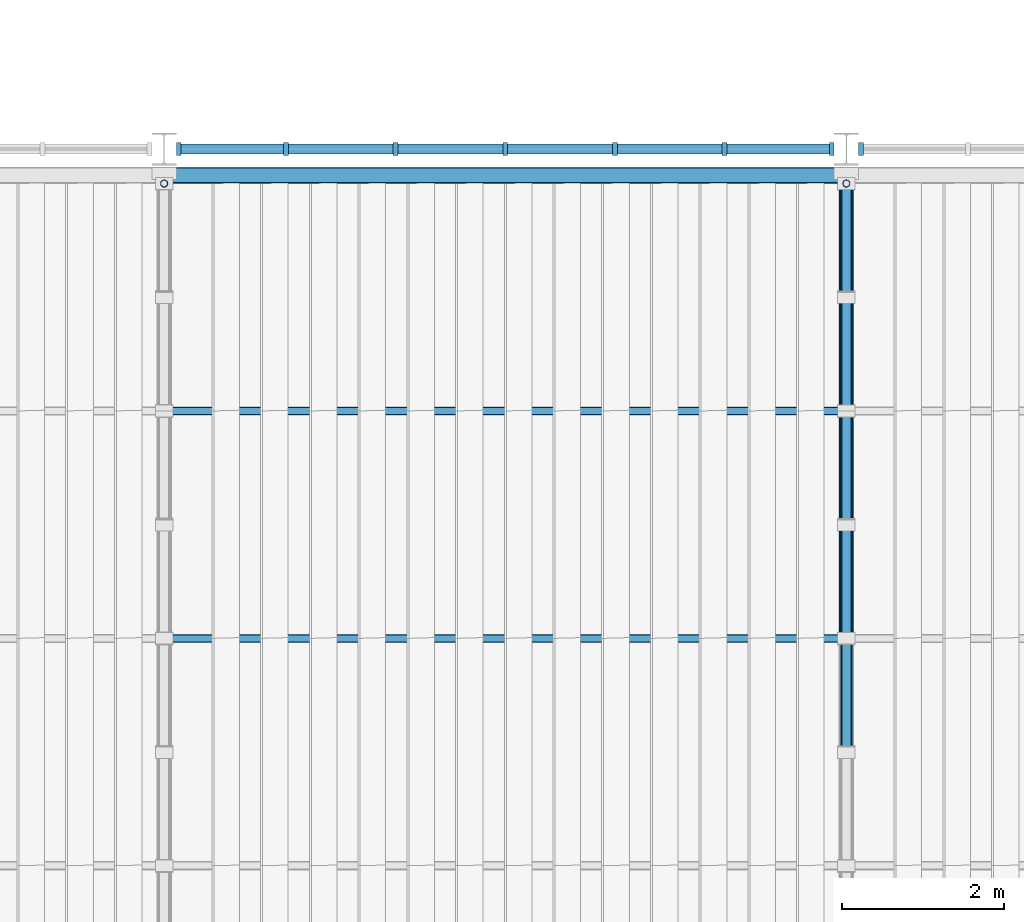
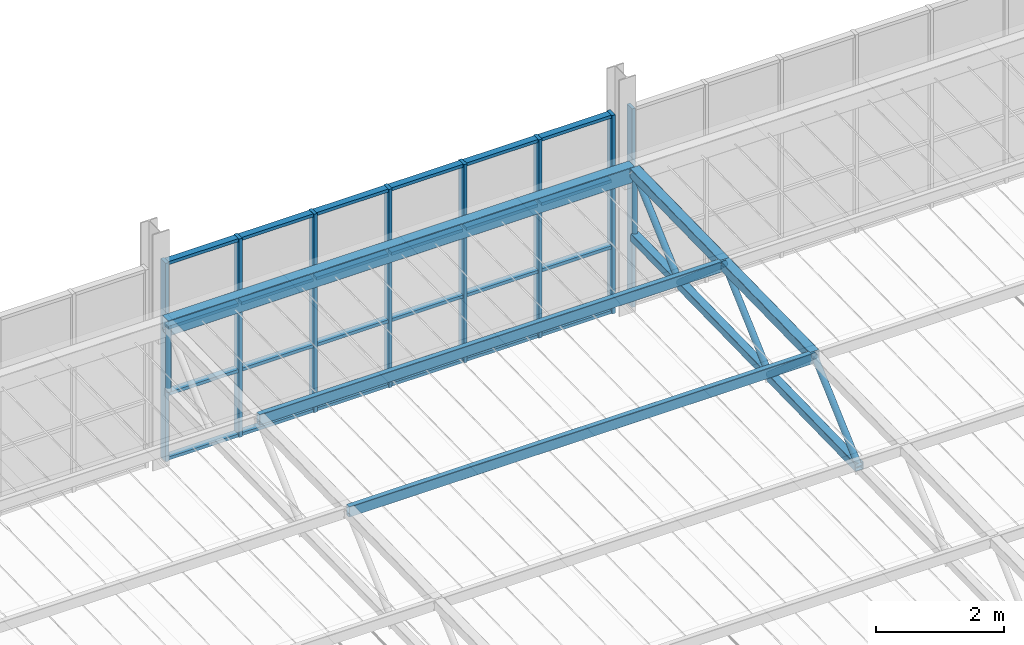
# One storey, part 31 of 129: 46 members, 1 beam, 2 elements without a shape of their own.
"""IFC4 building model written with IfcOpenShell, lengths in metres."""

import ifcopenshell
import ifcopenshell.guid

model = None  # the IFC model being written
_history = None  # IfcOwnerHistory: only IFC2X3 demands one
_inside = {}  # id of a spatial element -> (the spatial element, [elements in it])
_under = {}  # id of a project, library or spatial element -> (it, [spatial elements below it])
_declared = {}  # id of a project -> (the project, [libraries it declares])
_typed = {}  # id of a type object -> (the type object, [elements of that type])
_made_of = {}  # id of a material, layer set ... -> (it, [elements and type objects made of it])


def new_model(schema):
    """Start an empty IFC model of exactly this schema.

    Asked for "IFC4X3", IfcOpenShell would pick the latest addendum, in which some entities
    have other attributes; the version numbers below select the first issue.
    IFC2X3 requires an IfcOwnerHistory on every rooted entity: one is made here for all.
    """
    global model, _history
    if schema == "IFC4X3":
        model = ifcopenshell.file(schema_version=(4, 3, 0, 0))
    else:
        model = ifcopenshell.file(schema=schema)
    _inside.clear()
    _under.clear()
    _declared.clear()
    _typed.clear()
    _made_of.clear()
    _history = None
    if model.schema == "IFC2X3":
        org = make("IfcOrganization", Name="unknown")
        user = make(
            "IfcPersonAndOrganization",
            ThePerson=make("IfcPerson", FamilyName="unknown"),
            TheOrganization=org,
        )
        app = make(
            "IfcApplication",
            ApplicationDeveloper=org,
            Version="unknown",
            ApplicationFullName="unknown",
            ApplicationIdentifier="unknown",
        )
        _history = make(
            "IfcOwnerHistory",
            OwningUser=user,
            OwningApplication=app,
            ChangeAction="ADDED",
            CreationDate=0,
        )
    return model


def make(cls, **values):
    """One entity of the class cls with the attributes given. An attribute that is None is left unset."""
    return model.create_entity(
        cls, **{name: value for name, value in values.items() if value is not None}
    )


def rooted(cls, **values):
    """An entity with a GlobalId (a new one), such as an element, a storey or a relation."""
    return make(cls, GlobalId=ifcopenshell.guid.new(), OwnerHistory=_history, **values)


def si_unit(unit_type, name, prefix=None):
    """IfcSIUnit, for example si_unit("LENGTHUNIT", "METRE", prefix="MILLI")."""
    return make("IfcSIUnit", UnitType=unit_type, Prefix=prefix, Name=name)


def assignment(units):
    """IfcUnitAssignment: the units of a project."""
    return None if units is None else make("IfcUnitAssignment", Units=units)


def point(xyz):
    """IfcCartesianPoint."""
    return None if xyz is None else make("IfcCartesianPoint", Coordinates=xyz)


def direction(xyz):
    """IfcDirection."""
    return None if xyz is None else make("IfcDirection", DirectionRatios=xyz)


def frame(location, z_axis=None, x_axis=None):
    """IfcAxis2Placement3D, a coordinate frame: its origin and axes. An axis left out is left unset."""
    return make(
        "IfcAxis2Placement3D",
        Location=point(location),
        Axis=direction(z_axis),
        RefDirection=direction(x_axis),
    )


def frame_2d(location, x_axis=None):
    """IfcAxis2Placement2D, a coordinate frame in the plane: its origin and x axis."""
    return make(
        "IfcAxis2Placement2D", Location=point(location), RefDirection=direction(x_axis)
    )


def origin():
    """The frame at (0, 0, 0) with its axes left unset."""
    return frame((0.0, 0.0, 0.0))


def origin_2d():
    """The frame at (0, 0) in the plane with its x axis left unset."""
    return frame_2d((0.0, 0.0))


def place(relative_to, where):
    """IfcLocalPlacement: puts the frame where relative to a parent placement (None: the world)."""
    return make(
        "IfcLocalPlacement", PlacementRelTo=relative_to, RelativePlacement=where
    )


def context(
    kind, dimensions, precision=None, world=None, true_north=None, identifier=None
):
    """IfcGeometricRepresentationContext, for example the 3D "Model" context."""
    return make(
        "IfcGeometricRepresentationContext",
        ContextIdentifier=identifier,
        ContextType=kind,
        CoordinateSpaceDimension=dimensions,
        Precision=precision,
        WorldCoordinateSystem=world,
        TrueNorth=true_north,
    )


def subcontext(parent, identifier, kind, view, scale=None):
    """IfcGeometricRepresentationSubContext, for example "Body" below "Model"."""
    return make(
        "IfcGeometricRepresentationSubContext",
        ContextIdentifier=identifier,
        ContextType=kind,
        ParentContext=parent,
        TargetScale=scale,
        TargetView=view,
    )


def project(units=None, contexts=None):
    """IfcProject with its units and contexts."""
    return rooted(
        "IfcProject",
        Name="project",
        RepresentationContexts=contexts,
        UnitsInContext=assignment(units),
    )


def spatial(cls, under=None, at=None, **own):
    """A site, building, storey or space (cls), placed at a placement, below another one or the project."""
    s = rooted(cls, ObjectPlacement=at, **own)
    if under is not None:
        _under.setdefault(under.id(), (under, []))[1].append(s)
    return s


def profile(cls, at=None, kind="AREA", **sizes):
    """A parametric profile (cls). Its sizes go by their IFC names, for example OverallWidth=200.0."""
    return make(cls, ProfileType=kind, Position=at, **sizes)


def rectangle(**sizes):
    """IfcRectangleProfileDef."""
    return profile("IfcRectangleProfileDef", **sizes)


def hollow_rectangle(**sizes):
    """IfcRectangleHollowProfileDef."""
    return profile("IfcRectangleHollowProfileDef", **sizes)


def hollow_circle(**sizes):
    """IfcCircleHollowProfileDef."""
    return profile("IfcCircleHollowProfileDef", **sizes)


def extrude(swept, where, along, depth):
    """IfcExtrudedAreaSolid: the profile swept, set in the frame where, extruded along a direction by depth."""
    return make(
        "IfcExtrudedAreaSolid",
        SweptArea=swept,
        Position=where,
        ExtrudedDirection=direction(along),
        Depth=depth,
    )


def shape(context_of_items, identifier, shape_type, items):
    """IfcShapeRepresentation: the items that make up one representation, for example the "Body"."""
    return make(
        "IfcShapeRepresentation",
        ContextOfItems=context_of_items,
        RepresentationIdentifier=identifier,
        RepresentationType=shape_type,
        Items=items,
    )


def material(Name=None, Category=None):
    """IfcMaterial."""
    return make("IfcMaterial", Name=Name, Category=Category)


def layer(
    of_material, thickness, ventilated=None, Name=None, Category=None, Priority=None
):
    """IfcMaterialLayer: one layer of a wall or slab, of a material (None: an air gap)."""
    return make(
        "IfcMaterialLayer",
        Material=of_material,
        LayerThickness=thickness,
        IsVentilated=ventilated,
        Name=Name,
        Category=Category,
        Priority=Priority,
    )


def layer_set(layers, Name=None):
    """IfcMaterialLayerSet."""
    return make("IfcMaterialLayerSet", MaterialLayers=layers, LayerSetName=Name)


def material_profile(
    of_material, cross_section, Name=None, Category=None, Priority=None
):
    """IfcMaterialProfile: a cross section and its material."""
    return make(
        "IfcMaterialProfile",
        Name=Name,
        Material=of_material,
        Profile=cross_section,
        Priority=Priority,
        Category=Category,
    )


def profile_set(profiles, Name=None, composite=None):
    """IfcMaterialProfileSet."""
    return make(
        "IfcMaterialProfileSet",
        Name=Name,
        MaterialProfiles=profiles,
        CompositeProfile=composite,
    )


def made_of(thing, what):
    """Note that an element or type object is made of a material, layer set ...; save() writes the relation."""
    if what is not None:
        _made_of.setdefault(what.id(), (what, []))[1].append(thing)
    return thing


def type_object(cls, material=None, **own):
    """A type object (cls), such as IfcWallType, which elements share."""
    return made_of(rooted(cls, **own), material)


def element(
    cls,
    number,
    at=None,
    inside=None,
    cuts=None,
    type_object=None,
    material=None,
    context=None,
    identifier="Body",
    shape_type=None,
    held_by="IfcProductDefinitionShape",
    body=None,
    shapes=None,
    **own,
):
    """One element of the class cls, such as IfcWall. Its Tag is "e" and its number.

    at: its placement. inside: the storey or other place that contains it. cuts: it is an
    opening in that element (IfcRelVoidsElement). A single representation is given by context,
    identifier, shape_type and body (its items); several are given by shapes. held_by: the class
    of the entity that holds the representations. save() writes the other relations.
    """
    e = rooted(cls, Tag="e%d" % number, ObjectPlacement=at, **own)
    if body is not None:
        shapes = [shape(context, identifier, shape_type, body)]
    if shapes is not None:
        e.Representation = make(held_by, Representations=shapes)
    if inside is not None:
        _inside.setdefault(inside.id(), (inside, []))[1].append(e)
    if cuts is not None:
        rooted(
            "IfcRelVoidsElement", RelatingBuildingElement=cuts, RelatedOpeningElement=e
        )
    if type_object is not None:
        _typed.setdefault(type_object.id(), (type_object, []))[1].append(e)
    return made_of(e, material)


def aggregate(whole, parts):
    """IfcRelAggregates: a whole, such as a stair, and the parts it consists of."""
    return rooted("IfcRelAggregates", RelatingObject=whole, RelatedObjects=parts)


def save(model, path):
    """Write the relations noted so far, then the file.

    IfcRelAggregates (storeys below a building ...), IfcRelContainedInSpatialStructure (elements
    in a storey), IfcRelDefinesByType, IfcRelAssociatesMaterial and IfcRelDeclares: one each for
    every whole, place, type object, material and project.
    """
    for whole, parts in _under.values():
        aggregate(whole, parts)
    for where, things in _inside.values():
        rooted(
            "IfcRelContainedInSpatialStructure",
            RelatedElements=things,
            RelatingStructure=where,
        )
    for kind, things in _typed.values():
        rooted("IfcRelDefinesByType", RelatedObjects=things, RelatingType=kind)
    for what, things in _made_of.values():
        rooted("IfcRelAssociatesMaterial", RelatedObjects=things, RelatingMaterial=what)
    for by, libraries in _declared.values():
        rooted("IfcRelDeclares", RelatingContext=by, RelatedDefinitions=libraries)
    model.write(path)


model = new_model("IFC4")

# Units and contexts
model_context = context("Model", 3, precision=1e-05, world=origin(), true_north=direction((0.0, 1.0)))
body_context = subcontext(model_context, "Body", "Model", "MODEL_VIEW")
ifc_project = project(units=[si_unit("LENGTHUNIT", "METRE"), si_unit("AREAUNIT", "SQUARE_METRE"), si_unit("VOLUMEUNIT", "CUBIC_METRE"), si_unit("PLANEANGLEUNIT", "RADIAN"), si_unit("MASSUNIT", "GRAM", prefix="KILO")], contexts=[model_context])

# Site, building, storey
site_placement = place(None, origin())
site = spatial("IfcSite", under=ifc_project, at=site_placement, CompositionType="ELEMENT")
building_placement = place(site_placement, origin())
building = spatial("IfcBuilding", under=site, at=building_placement, Name="Ardhachandra Cancer Care Centre", CompositionType="ELEMENT")
storey_placement = place(building_placement, frame((0.0, 0.0, 4.5)))
storey = spatial("IfcBuildingStorey", under=building, at=storey_placement, Name="L01", CompositionType="ELEMENT", Elevation=4.5)

# Members
ifc_material_1 = material(Name="Steel E350 (IS 2062)", Category="steel")
ifc_material_profile_1 = material_profile(ifc_material_1, hollow_rectangle(XDim=0.10009765625, YDim=0.199951171875, WallThickness=0.006103515625, InnerFilletRadius=0.006103515625, OuterFilletRadius=0.011962890625, at=origin_2d()), Name="RHS 200x100x6.0")
ifc_profile_set_1 = profile_set([ifc_material_profile_1], Name="Steel E350 (IS 2062)")
member_type_1 = type_object("IfcMemberType", Name="Canopy purlin RHS 200x100x6.0", PredefinedType="PURLIN", material=ifc_profile_set_1)
for number, where, z_axis, x_axis, name in (
    (1, (78.0, 51.375, 2.78759765625), (1.0, 0.0, 0.0), (0.0, 1.0, 0.0), "Canopy purlin 1-5"),
    (2, (78.0, 48.574951171875, 2.7314453125), (1.0, 0.0, 0.0), (0.0, 1.0, 0.0), "Canopy purlin 2-5"),
):
    element("IfcMember", number, at=place(storey_placement, frame(where, z_axis=z_axis, x_axis=x_axis)), inside=storey, type_object=member_type_1, Name=name, PredefinedType="PURLIN", context=body_context, shape_type="SweptSolid", body=[
        extrude(hollow_rectangle(XDim=0.10009765625, YDim=0.199951171875, WallThickness=0.006103515625, InnerFilletRadius=0.006103515625, OuterFilletRadius=0.011962890625, at=origin_2d()), origin(), (0.0, 0.0, 1.0), 8.39990234375),
    ])

# Beam
ifc_material_2 = material(Name="Steel E350 (IS 2062)", Category="steel")
ifc_material_profile_2 = material_profile(ifc_material_2, hollow_rectangle(XDim=0.199951171875, YDim=0.300048828125, WallThickness=0.010009765625, InnerFilletRadius=0.010009765625, OuterFilletRadius=0.02001953125, at=origin_2d()), Name="RHS 300x200x10.0")
ifc_profile_set_2 = profile_set([ifc_material_profile_2], Name="Steel E350 (IS 2062)")
beam_type = type_object("IfcBeamType", Name="Canopy ring and eave beam RHS 300x200x10.0", PredefinedType="BEAM", material=ifc_profile_set_2)
beam_placement = place(storey_placement, frame((78.0, 54.27490234375, 2.79541015625), z_axis=(1.0, 0.0, 0.0), x_axis=(0.0, 1.0, 0.0)))
element("IfcBeam", 3, at=beam_placement, inside=storey, type_object=beam_type, Name="Canopy eave beam 5", PredefinedType="BEAM", context=body_context, shape_type="SweptSolid", body=[
    extrude(hollow_rectangle(XDim=0.199951171875, YDim=0.300048828125, WallThickness=0.010009765625, InnerFilletRadius=0.010009765625, OuterFilletRadius=0.02001953125, at=origin_2d()), origin(), (0.0, 0.0, 1.0), 8.39990234375),
])

# Members
ifc_material_3 = material(Name="Steel E350 (IS 2062)", Category="steel")
ifc_material_profile_3 = material_profile(ifc_material_3, hollow_rectangle(XDim=0.14990234375, YDim=0.14990234375, WallThickness=0.006103515625, InnerFilletRadius=0.006103515625, OuterFilletRadius=0.011962890625, at=origin_2d()), Name="SHS 150x150x6.0")
ifc_profile_set_3 = profile_set([ifc_material_profile_3], Name="Steel E350 (IS 2062)")
member_type_2 = type_object("IfcMemberType", Name="Canopy truss bottom chord SHS 150x150x6.0", PredefinedType="CHORD", material=ifc_profile_set_3)
member_1_placement = place(storey_placement, frame((86.39990234375, 54.175048828125, 1.618408203125), z_axis=(0.0, -0.999802492231, -0.019874016411), x_axis=(1.0, 0.0, 0.0)))
element("IfcMember", 4, at=member_1_placement, inside=storey, type_object=member_type_2, Name="Canopy truss 6 bottom chord BC12", PredefinedType="CHORD", context=body_context, shape_type="SweptSolid", body=[
    extrude(hollow_rectangle(XDim=0.14990234375, YDim=0.14990234375, WallThickness=0.006103515625, InnerFilletRadius=0.006103515625, OuterFilletRadius=0.011962890625, at=origin_2d()), origin(), (0.0, 0.0, 1.0), 1.400390625),
])
member_2_placement = place(storey_placement, frame((86.39990234375, 52.77490234375, 1.590576171875), z_axis=(0.0, -0.999798942946, -0.020051775103), x_axis=(1.0, 0.0, 0.0)))
element("IfcMember", 5, at=member_2_placement, inside=storey, type_object=member_type_2, Name="Canopy truss 6 bottom chord BC13", PredefinedType="CHORD", context=body_context, shape_type="SweptSolid", body=[
    extrude(hollow_rectangle(XDim=0.14990234375, YDim=0.14990234375, WallThickness=0.006103515625, InnerFilletRadius=0.006103515625, OuterFilletRadius=0.011962890625, at=origin_2d()), origin(), (0.0, 0.0, 1.0), 2.80029296875),
])
member_3_placement = place(storey_placement, frame((86.39990234375, 49.97509765625, 1.534423828125), z_axis=(0.0, -0.999800721691, -0.019962888244), x_axis=(1.0, 0.0, 0.0)))
element("IfcMember", 6, at=member_3_placement, inside=storey, type_object=member_type_2, Name="Canopy truss 6 bottom chord BC14", PredefinedType="CHORD", context=body_context, shape_type="SweptSolid", body=[
    extrude(hollow_rectangle(XDim=0.14990234375, YDim=0.14990234375, WallThickness=0.006103515625, InnerFilletRadius=0.006103515625, OuterFilletRadius=0.011962890625, at=origin_2d()), origin(), (0.0, 0.0, 1.0), 2.800537109375),
])
ifc_material_4 = material(Name="Steel E350 (IS 2062)", Category="steel")
ifc_material_profile_4 = material_profile(ifc_material_4, hollow_circle(Radius=0.05712890625, WallThickness=0.0048828125, at=origin_2d()), Name="CHS 114.3x5.0")
ifc_profile_set_4 = profile_set([ifc_material_profile_4], Name="Steel E350 (IS 2062)")
member_type_3 = type_object("IfcMemberType", Name="Canopy truss diagonal CHS 114.3x5.0", PredefinedType="BRACE", material=ifc_profile_set_4)
member_4_placement = place(storey_placement, frame((86.39990234375, 54.175048828125, 2.853515625), z_axis=(0.0, -0.742553308775, -0.669786968839), x_axis=(1.0, 0.0, 0.0)))
element("IfcMember", 7, at=member_4_placement, inside=storey, type_object=member_type_3, Name="Canopy truss 6 web diagonal WD23", PredefinedType="BRACE", context=body_context, shape_type="SweptSolid", body=[
    extrude(hollow_circle(Radius=0.05712890625, WallThickness=0.0048828125, at=origin_2d()), origin(), (0.0, 0.0, 1.0), 1.885498046875),
])
member_5_placement = place(storey_placement, frame((86.39990234375, 52.77490234375, 1.590576171875), z_axis=(0.0, -0.757351396119, 0.653007551868), x_axis=(1.0, 0.0, 0.0)))
element("IfcMember", 8, at=member_5_placement, inside=storey, type_object=member_type_3, Name="Canopy truss 6 web diagonal WD24", PredefinedType="BRACE", context=body_context, shape_type="SweptSolid", body=[
    extrude(hollow_circle(Radius=0.05712890625, WallThickness=0.0048828125, at=origin_2d()), origin(), (0.0, 0.0, 1.0), 1.848388671875),
])
member_6_placement = place(storey_placement, frame((86.39990234375, 51.375, 2.797607421875), z_axis=(0.0, -0.742430813776, -0.669922746857), x_axis=(1.0, 0.0, 0.0)))
element("IfcMember", 9, at=member_6_placement, inside=storey, type_object=member_type_3, Name="Canopy truss 6 web diagonal WD25", PredefinedType="BRACE", context=body_context, shape_type="SweptSolid", body=[
    extrude(hollow_circle(Radius=0.05712890625, WallThickness=0.0048828125, at=origin_2d()), origin(), (0.0, 0.0, 1.0), 1.885498046875),
])
member_7_placement = place(storey_placement, frame((86.39990234375, 49.97509765625, 1.534423828125), z_axis=(0.0, -0.75740770942, 0.65294223459), x_axis=(1.0, 0.0, 0.0)))
element("IfcMember", 10, at=member_7_placement, inside=storey, type_object=member_type_3, Name="Canopy truss 6 web diagonal WD26", PredefinedType="BRACE", context=body_context, shape_type="SweptSolid", body=[
    extrude(hollow_circle(Radius=0.05712890625, WallThickness=0.0048828125, at=origin_2d()), origin(), (0.0, 0.0, 1.0), 1.8486328125),
])
member_8_placement = place(storey_placement, frame((86.39990234375, 48.574951171875, 2.741455078125), z_axis=(0.0, -0.742495214915, -0.669851368461), x_axis=(1.0, 0.0, 0.0)))
element("IfcMember", 11, at=member_8_placement, inside=storey, type_object=member_type_3, Name="Canopy truss 6 web diagonal WD27", PredefinedType="BRACE", context=body_context, shape_type="SweptSolid", body=[
    extrude(hollow_circle(Radius=0.05712890625, WallThickness=0.0048828125, at=origin_2d()), origin(), (0.0, 0.0, 1.0), 1.885498046875),
])
ifc_material_5 = material(Name="Steel E350 (IS 2062)", Category="steel")
ifc_material_profile_5 = material_profile(ifc_material_5, hollow_circle(Radius=0.04443359375, WallThickness=0.00390625, at=origin_2d()), Name="CHS 88.9x4.0")
ifc_profile_set_5 = profile_set([ifc_material_profile_5], Name="Steel E350 (IS 2062)")
member_type_4 = type_object("IfcMemberType", Name="Canopy truss post CHS 88.9x4.0", PredefinedType="POST", material=ifc_profile_set_5)
for number, where, z_axis, x_axis, name in (
    (12, (78.0, 54.175048828125, 2.853515625), (0.0, 0.0, -1.0), (1.0, 0.0, 0.0), "Canopy truss 5 web vertical WV46"),
    (13, (86.39990234375, 54.175048828125, 2.853515625), (0.0, 0.0, -1.0), (1.0, 0.0, 0.0), "Canopy truss 6 web vertical WV44"),
):
    element("IfcMember", number, at=place(storey_placement, frame(where, z_axis=z_axis, x_axis=x_axis)), inside=storey, type_object=member_type_4, Name=name, PredefinedType="POST", context=body_context, shape_type="SweptSolid", body=[
        extrude(hollow_circle(Radius=0.04443359375, WallThickness=0.00390625, at=origin_2d()), origin(), (0.0, 0.0, 1.0), 1.235107421875),
    ])
ifc_material_6 = material(Name="Steel E350 (IS 2062)", Category="steel")
ifc_material_profile_6 = material_profile(ifc_material_6, hollow_rectangle(XDim=0.179931640625, YDim=0.179931640625, WallThickness=0.008056640625, InnerFilletRadius=0.008056640625, OuterFilletRadius=0.01611328125, at=origin_2d()), Name="SHS 180x180x8.0")
ifc_profile_set_6 = profile_set([ifc_material_profile_6], Name="Steel E350 (IS 2062)")
member_type_5 = type_object("IfcMemberType", Name="Canopy truss top chord SHS 180x180x8.0", PredefinedType="CHORD", material=ifc_profile_set_6)
for number, where, z_axis, x_axis, name in (
    (14, (86.39990234375, 54.175048828125, 2.853515625), (0.0, -0.999800721691, -0.019962888244), (1.0, 0.0, 0.0), "Canopy truss 6 top chord TC1"),
    (15, (86.39990234375, 51.375, 2.797607421875), (0.0, -0.999798977995, -0.02005002746), (1.0, 0.0, 0.0), "Canopy truss 6 top chord TC2"),
):
    element("IfcMember", number, at=place(storey_placement, frame(where, z_axis=z_axis, x_axis=x_axis)), inside=storey, type_object=member_type_5, Name=name, PredefinedType="CHORD", context=body_context, shape_type="SweptSolid", body=[
        extrude(hollow_rectangle(XDim=0.179931640625, YDim=0.179931640625, WallThickness=0.008056640625, InnerFilletRadius=0.008056640625, OuterFilletRadius=0.01611328125, at=origin_2d()), origin(), (0.0, 0.0, 1.0), 2.800537109375),
    ])

# Curtain wall, members
ifc_material_7 = material(Name="Aluminium extrusion", Category="aluminium")
ifc_layer = layer(ifc_material_7, 0.14990234375)
ifc_layer_set = layer_set([ifc_layer], Name="Aluminium extrusion")
curtain_wall_type = type_object("IfcCurtainWallType", Name="Curtain wall run", PredefinedType="NOTDEFINED", material=ifc_layer_set)
curtain_wall_1_placement = place(storey_placement, origin())
curtain_wall_1 = element("IfcCurtainWall", 16, at=curtain_wall_1_placement, inside=storey, type_object=curtain_wall_type, Name="Curtain wall L01 s/0078000_0054600", PredefinedType="NOTDEFINED")
ifc_material_8 = material(Name="Aluminium extrusion", Category="aluminium")
ifc_material_profile_7 = material_profile(ifc_material_8, rectangle(XDim=0.159912109375, YDim=0.06005859375, at=origin_2d()), Name="Curtain wall mullion 60 x 160")
ifc_profile_set_7 = profile_set([ifc_material_profile_7], Name="Aluminium extrusion")
member_type_6 = type_object("IfcMemberType", Name="Curtain wall mullion 60 x 160", PredefinedType="MULLION", material=ifc_profile_set_7)
member_9_placement = place(storey_placement, frame((78.179931640625, 54.60009765625, 0.0), z_axis=(0.0, 0.0, 1.0), x_axis=(0.0, 1.0, 0.0)))
member_9 = element("IfcMember", 17, at=member_9_placement, type_object=member_type_6, Name="CW mullion 1", PredefinedType="MULLION", context=body_context, shape_type="SweptSolid", body=[
    extrude(rectangle(XDim=0.159912109375, YDim=0.06005859375, at=origin_2d()), origin(), (0.0, 0.0, 1.0), 3.780517578125),
])
member_10_placement = place(storey_placement, frame((79.5, 54.60009765625, 0.0), z_axis=(0.0, 0.0, 1.0), x_axis=(0.0, 1.0, 0.0)))
member_10 = element("IfcMember", 18, at=member_10_placement, type_object=member_type_6, Name="CW mullion 2", PredefinedType="MULLION", context=body_context, shape_type="SweptSolid", body=[
    extrude(rectangle(XDim=0.159912109375, YDim=0.06005859375, at=origin_2d()), origin(), (0.0, 0.0, 1.0), 3.780517578125),
])
member_11_placement = place(storey_placement, frame((80.85009765625, 54.60009765625, 0.0), z_axis=(0.0, 0.0, 1.0), x_axis=(0.0, 1.0, 0.0)))
member_11 = element("IfcMember", 19, at=member_11_placement, type_object=member_type_6, Name="CW mullion 3", PredefinedType="MULLION", context=body_context, shape_type="SweptSolid", body=[
    extrude(rectangle(XDim=0.159912109375, YDim=0.06005859375, at=origin_2d()), origin(), (0.0, 0.0, 1.0), 3.780517578125),
])
member_12_placement = place(storey_placement, frame((82.199951171875, 54.60009765625, 0.0), z_axis=(0.0, 0.0, 1.0), x_axis=(0.0, 1.0, 0.0)))
member_12 = element("IfcMember", 20, at=member_12_placement, type_object=member_type_6, Name="CW mullion 4", PredefinedType="MULLION", context=body_context, shape_type="SweptSolid", body=[
    extrude(rectangle(XDim=0.159912109375, YDim=0.06005859375, at=origin_2d()), origin(), (0.0, 0.0, 1.0), 3.780517578125),
])
member_13_placement = place(storey_placement, frame((83.550048828125, 54.60009765625, 0.0), z_axis=(0.0, 0.0, 1.0), x_axis=(0.0, 1.0, 0.0)))
member_13 = element("IfcMember", 21, at=member_13_placement, type_object=member_type_6, Name="CW mullion 5", PredefinedType="MULLION", context=body_context, shape_type="SweptSolid", body=[
    extrude(rectangle(XDim=0.159912109375, YDim=0.06005859375, at=origin_2d()), origin(), (0.0, 0.0, 1.0), 3.780517578125),
])
member_14_placement = place(storey_placement, frame((84.89990234375, 54.60009765625, 0.0), z_axis=(0.0, 0.0, 1.0), x_axis=(0.0, 1.0, 0.0)))
member_14 = element("IfcMember", 22, at=member_14_placement, type_object=member_type_6, Name="CW mullion 6", PredefinedType="MULLION", context=body_context, shape_type="SweptSolid", body=[
    extrude(rectangle(XDim=0.159912109375, YDim=0.06005859375, at=origin_2d()), origin(), (0.0, 0.0, 1.0), 3.780517578125),
])
member_15_placement = place(storey_placement, frame((86.219970703125, 54.60009765625, 0.0), z_axis=(0.0, 0.0, 1.0), x_axis=(0.0, 1.0, 0.0)))
member_15 = element("IfcMember", 23, at=member_15_placement, type_object=member_type_6, Name="CW mullion 7", PredefinedType="MULLION", context=body_context, shape_type="SweptSolid", body=[
    extrude(rectangle(XDim=0.159912109375, YDim=0.06005859375, at=origin_2d()), origin(), (0.0, 0.0, 1.0), 3.780517578125),
])

# Curtain wall, member
curtain_wall_2_placement = place(storey_placement, origin())
curtain_wall_2 = element("IfcCurtainWall", 24, at=curtain_wall_2_placement, inside=storey, type_object=curtain_wall_type, Name="Curtain wall L01 s/0086400_0054600", PredefinedType="NOTDEFINED")
member_16_placement = place(storey_placement, frame((86.580078125, 54.60009765625, 0.0), z_axis=(0.0, 0.0, 1.0), x_axis=(0.0, 1.0, 0.0)))
member_16 = element("IfcMember", 25, at=member_16_placement, type_object=member_type_6, Name="CW mullion 1", PredefinedType="MULLION", context=body_context, shape_type="SweptSolid", body=[
    extrude(rectangle(XDim=0.159912109375, YDim=0.06005859375, at=origin_2d()), origin(), (0.0, 0.0, 1.0), 3.780517578125),
])
aggregate(curtain_wall_2, [member_16])

# Member
ifc_material_9 = material(Name="Aluminium extrusion", Category="aluminium")
ifc_material_profile_8 = material_profile(ifc_material_9, rectangle(XDim=0.1201171875, YDim=0.06005859375, at=origin_2d()), Name="Curtain wall transom 60 x 120")
ifc_profile_set_8 = profile_set([ifc_material_profile_8], Name="Aluminium extrusion")
member_type_7 = type_object("IfcMemberType", Name="Curtain wall transom 60 x 120", PredefinedType="USERDEFINED", material=ifc_profile_set_8)
member_17_placement = place(storey_placement, frame((78.2099609375, 54.60009765625, 0.030029296875), z_axis=(1.0, 0.0, 0.0), x_axis=(0.0, 1.0, 0.0)))
member_17 = element("IfcMember", 26, at=member_17_placement, type_object=member_type_7, Name="CW transom 1.1", ObjectType="TRANSOM", PredefinedType="USERDEFINED", context=body_context, shape_type="SweptSolid", body=[
    extrude(rectangle(XDim=0.1201171875, YDim=0.06005859375, at=origin_2d()), origin(), (0.0, 0.0, 1.0), 1.260009765625),
])

member_18_placement = place(storey_placement, frame((78.2099609375, 54.60009765625, 1.26025390625), z_axis=(1.0, 0.0, 0.0), x_axis=(0.0, 1.0, 0.0)))
member_18 = element("IfcMember", 27, at=member_18_placement, type_object=member_type_7, Name="CW transom 1.2", ObjectType="TRANSOM", PredefinedType="USERDEFINED", context=body_context, shape_type="SweptSolid", body=[
    extrude(rectangle(XDim=0.1201171875, YDim=0.06005859375, at=origin_2d()), origin(), (0.0, 0.0, 1.0), 1.260009765625),
])

member_19_placement = place(storey_placement, frame((78.2099609375, 54.60009765625, 2.520263671875), z_axis=(1.0, 0.0, 0.0), x_axis=(0.0, 1.0, 0.0)))
member_19 = element("IfcMember", 28, at=member_19_placement, type_object=member_type_7, Name="CW transom 1.3", ObjectType="TRANSOM", PredefinedType="USERDEFINED", context=body_context, shape_type="SweptSolid", body=[
    extrude(rectangle(XDim=0.1201171875, YDim=0.06005859375, at=origin_2d()), origin(), (0.0, 0.0, 1.0), 1.260009765625),
])

member_20_placement = place(storey_placement, frame((78.2099609375, 54.60009765625, 3.75048828125), z_axis=(1.0, 0.0, 0.0), x_axis=(0.0, 1.0, 0.0)))
member_20 = element("IfcMember", 29, at=member_20_placement, type_object=member_type_7, Name="CW transom 1.4", ObjectType="TRANSOM", PredefinedType="USERDEFINED", context=body_context, shape_type="SweptSolid", body=[
    extrude(rectangle(XDim=0.1201171875, YDim=0.06005859375, at=origin_2d()), origin(), (0.0, 0.0, 1.0), 1.260009765625),
])

member_21_placement = place(storey_placement, frame((79.530029296875, 54.60009765625, 0.030029296875), z_axis=(1.0, 0.0, 0.0), x_axis=(0.0, 1.0, 0.0)))
member_21 = element("IfcMember", 30, at=member_21_placement, type_object=member_type_7, Name="CW transom 2.1", ObjectType="TRANSOM", PredefinedType="USERDEFINED", context=body_context, shape_type="SweptSolid", body=[
    extrude(rectangle(XDim=0.1201171875, YDim=0.06005859375, at=origin_2d()), origin(), (0.0, 0.0, 1.0), 1.2900390625),
])

member_22_placement = place(storey_placement, frame((79.530029296875, 54.60009765625, 1.26025390625), z_axis=(1.0, 0.0, 0.0), x_axis=(0.0, 1.0, 0.0)))
member_22 = element("IfcMember", 31, at=member_22_placement, type_object=member_type_7, Name="CW transom 2.2", ObjectType="TRANSOM", PredefinedType="USERDEFINED", context=body_context, shape_type="SweptSolid", body=[
    extrude(rectangle(XDim=0.1201171875, YDim=0.06005859375, at=origin_2d()), origin(), (0.0, 0.0, 1.0), 1.2900390625),
])

member_23_placement = place(storey_placement, frame((79.530029296875, 54.60009765625, 2.520263671875), z_axis=(1.0, 0.0, 0.0), x_axis=(0.0, 1.0, 0.0)))
member_23 = element("IfcMember", 32, at=member_23_placement, type_object=member_type_7, Name="CW transom 2.3", ObjectType="TRANSOM", PredefinedType="USERDEFINED", context=body_context, shape_type="SweptSolid", body=[
    extrude(rectangle(XDim=0.1201171875, YDim=0.06005859375, at=origin_2d()), origin(), (0.0, 0.0, 1.0), 1.2900390625),
])

member_24_placement = place(storey_placement, frame((79.530029296875, 54.60009765625, 3.75048828125), z_axis=(1.0, 0.0, 0.0), x_axis=(0.0, 1.0, 0.0)))
member_24 = element("IfcMember", 33, at=member_24_placement, type_object=member_type_7, Name="CW transom 2.4", ObjectType="TRANSOM", PredefinedType="USERDEFINED", context=body_context, shape_type="SweptSolid", body=[
    extrude(rectangle(XDim=0.1201171875, YDim=0.06005859375, at=origin_2d()), origin(), (0.0, 0.0, 1.0), 1.2900390625),
])

member_25_placement = place(storey_placement, frame((80.8798828125, 54.60009765625, 0.030029296875), z_axis=(1.0, 0.0, 0.0), x_axis=(0.0, 1.0, 0.0)))
member_25 = element("IfcMember", 34, at=member_25_placement, type_object=member_type_7, Name="CW transom 3.1", ObjectType="TRANSOM", PredefinedType="USERDEFINED", context=body_context, shape_type="SweptSolid", body=[
    extrude(rectangle(XDim=0.1201171875, YDim=0.06005859375, at=origin_2d()), origin(), (0.0, 0.0, 1.0), 1.2900390625),
])

member_26_placement = place(storey_placement, frame((80.8798828125, 54.60009765625, 1.26025390625), z_axis=(1.0, 0.0, 0.0), x_axis=(0.0, 1.0, 0.0)))
member_26 = element("IfcMember", 35, at=member_26_placement, type_object=member_type_7, Name="CW transom 3.2", ObjectType="TRANSOM", PredefinedType="USERDEFINED", context=body_context, shape_type="SweptSolid", body=[
    extrude(rectangle(XDim=0.1201171875, YDim=0.06005859375, at=origin_2d()), origin(), (0.0, 0.0, 1.0), 1.2900390625),
])

member_27_placement = place(storey_placement, frame((80.8798828125, 54.60009765625, 2.520263671875), z_axis=(1.0, 0.0, 0.0), x_axis=(0.0, 1.0, 0.0)))
member_27 = element("IfcMember", 36, at=member_27_placement, type_object=member_type_7, Name="CW transom 3.3", ObjectType="TRANSOM", PredefinedType="USERDEFINED", context=body_context, shape_type="SweptSolid", body=[
    extrude(rectangle(XDim=0.1201171875, YDim=0.06005859375, at=origin_2d()), origin(), (0.0, 0.0, 1.0), 1.2900390625),
])

member_28_placement = place(storey_placement, frame((80.8798828125, 54.60009765625, 3.75048828125), z_axis=(1.0, 0.0, 0.0), x_axis=(0.0, 1.0, 0.0)))
member_28 = element("IfcMember", 37, at=member_28_placement, type_object=member_type_7, Name="CW transom 3.4", ObjectType="TRANSOM", PredefinedType="USERDEFINED", context=body_context, shape_type="SweptSolid", body=[
    extrude(rectangle(XDim=0.1201171875, YDim=0.06005859375, at=origin_2d()), origin(), (0.0, 0.0, 1.0), 1.2900390625),
])

member_29_placement = place(storey_placement, frame((82.22998046875, 54.60009765625, 0.030029296875), z_axis=(1.0, 0.0, 0.0), x_axis=(0.0, 1.0, 0.0)))
member_29 = element("IfcMember", 38, at=member_29_placement, type_object=member_type_7, Name="CW transom 4.1", ObjectType="TRANSOM", PredefinedType="USERDEFINED", context=body_context, shape_type="SweptSolid", body=[
    extrude(rectangle(XDim=0.1201171875, YDim=0.06005859375, at=origin_2d()), origin(), (0.0, 0.0, 1.0), 1.2900390625),
])

member_30_placement = place(storey_placement, frame((82.22998046875, 54.60009765625, 1.26025390625), z_axis=(1.0, 0.0, 0.0), x_axis=(0.0, 1.0, 0.0)))
member_30 = element("IfcMember", 39, at=member_30_placement, type_object=member_type_7, Name="CW transom 4.2", ObjectType="TRANSOM", PredefinedType="USERDEFINED", context=body_context, shape_type="SweptSolid", body=[
    extrude(rectangle(XDim=0.1201171875, YDim=0.06005859375, at=origin_2d()), origin(), (0.0, 0.0, 1.0), 1.2900390625),
])

member_31_placement = place(storey_placement, frame((82.22998046875, 54.60009765625, 2.520263671875), z_axis=(1.0, 0.0, 0.0), x_axis=(0.0, 1.0, 0.0)))
member_31 = element("IfcMember", 40, at=member_31_placement, type_object=member_type_7, Name="CW transom 4.3", ObjectType="TRANSOM", PredefinedType="USERDEFINED", context=body_context, shape_type="SweptSolid", body=[
    extrude(rectangle(XDim=0.1201171875, YDim=0.06005859375, at=origin_2d()), origin(), (0.0, 0.0, 1.0), 1.2900390625),
])

member_32_placement = place(storey_placement, frame((82.22998046875, 54.60009765625, 3.75048828125), z_axis=(1.0, 0.0, 0.0), x_axis=(0.0, 1.0, 0.0)))
member_32 = element("IfcMember", 41, at=member_32_placement, type_object=member_type_7, Name="CW transom 4.4", ObjectType="TRANSOM", PredefinedType="USERDEFINED", context=body_context, shape_type="SweptSolid", body=[
    extrude(rectangle(XDim=0.1201171875, YDim=0.06005859375, at=origin_2d()), origin(), (0.0, 0.0, 1.0), 1.2900390625),
])

member_33_placement = place(storey_placement, frame((83.580078125, 54.60009765625, 0.030029296875), z_axis=(1.0, 0.0, 0.0), x_axis=(0.0, 1.0, 0.0)))
member_33 = element("IfcMember", 42, at=member_33_placement, type_object=member_type_7, Name="CW transom 5.1", ObjectType="TRANSOM", PredefinedType="USERDEFINED", context=body_context, shape_type="SweptSolid", body=[
    extrude(rectangle(XDim=0.1201171875, YDim=0.06005859375, at=origin_2d()), origin(), (0.0, 0.0, 1.0), 1.2900390625),
])

member_34_placement = place(storey_placement, frame((83.580078125, 54.60009765625, 1.26025390625), z_axis=(1.0, 0.0, 0.0), x_axis=(0.0, 1.0, 0.0)))
member_34 = element("IfcMember", 43, at=member_34_placement, type_object=member_type_7, Name="CW transom 5.2", ObjectType="TRANSOM", PredefinedType="USERDEFINED", context=body_context, shape_type="SweptSolid", body=[
    extrude(rectangle(XDim=0.1201171875, YDim=0.06005859375, at=origin_2d()), origin(), (0.0, 0.0, 1.0), 1.2900390625),
])

member_35_placement = place(storey_placement, frame((83.580078125, 54.60009765625, 2.520263671875), z_axis=(1.0, 0.0, 0.0), x_axis=(0.0, 1.0, 0.0)))
member_35 = element("IfcMember", 44, at=member_35_placement, type_object=member_type_7, Name="CW transom 5.3", ObjectType="TRANSOM", PredefinedType="USERDEFINED", context=body_context, shape_type="SweptSolid", body=[
    extrude(rectangle(XDim=0.1201171875, YDim=0.06005859375, at=origin_2d()), origin(), (0.0, 0.0, 1.0), 1.2900390625),
])

member_36_placement = place(storey_placement, frame((83.580078125, 54.60009765625, 3.75048828125), z_axis=(1.0, 0.0, 0.0), x_axis=(0.0, 1.0, 0.0)))
member_36 = element("IfcMember", 45, at=member_36_placement, type_object=member_type_7, Name="CW transom 5.4", ObjectType="TRANSOM", PredefinedType="USERDEFINED", context=body_context, shape_type="SweptSolid", body=[
    extrude(rectangle(XDim=0.1201171875, YDim=0.06005859375, at=origin_2d()), origin(), (0.0, 0.0, 1.0), 1.2900390625),
])

member_37_placement = place(storey_placement, frame((84.929931640625, 54.60009765625, 0.030029296875), z_axis=(1.0, 0.0, 0.0), x_axis=(0.0, 1.0, 0.0)))
member_37 = element("IfcMember", 46, at=member_37_placement, type_object=member_type_7, Name="CW transom 6.1", ObjectType="TRANSOM", PredefinedType="USERDEFINED", context=body_context, shape_type="SweptSolid", body=[
    extrude(rectangle(XDim=0.1201171875, YDim=0.06005859375, at=origin_2d()), origin(), (0.0, 0.0, 1.0), 1.260009765625),
])

member_38_placement = place(storey_placement, frame((84.929931640625, 54.60009765625, 1.26025390625), z_axis=(1.0, 0.0, 0.0), x_axis=(0.0, 1.0, 0.0)))
member_38 = element("IfcMember", 47, at=member_38_placement, type_object=member_type_7, Name="CW transom 6.2", ObjectType="TRANSOM", PredefinedType="USERDEFINED", context=body_context, shape_type="SweptSolid", body=[
    extrude(rectangle(XDim=0.1201171875, YDim=0.06005859375, at=origin_2d()), origin(), (0.0, 0.0, 1.0), 1.260009765625),
])

member_39_placement = place(storey_placement, frame((84.929931640625, 54.60009765625, 2.520263671875), z_axis=(1.0, 0.0, 0.0), x_axis=(0.0, 1.0, 0.0)))
member_39 = element("IfcMember", 48, at=member_39_placement, type_object=member_type_7, Name="CW transom 6.3", ObjectType="TRANSOM", PredefinedType="USERDEFINED", context=body_context, shape_type="SweptSolid", body=[
    extrude(rectangle(XDim=0.1201171875, YDim=0.06005859375, at=origin_2d()), origin(), (0.0, 0.0, 1.0), 1.260009765625),
])

member_40_placement = place(storey_placement, frame((84.929931640625, 54.60009765625, 3.75048828125), z_axis=(1.0, 0.0, 0.0), x_axis=(0.0, 1.0, 0.0)))
member_40 = element("IfcMember", 49, at=member_40_placement, type_object=member_type_7, Name="CW transom 6.4", ObjectType="TRANSOM", PredefinedType="USERDEFINED", context=body_context, shape_type="SweptSolid", body=[
    extrude(rectangle(XDim=0.1201171875, YDim=0.06005859375, at=origin_2d()), origin(), (0.0, 0.0, 1.0), 1.260009765625),
])

aggregate(curtain_wall_1, [member_9, member_10, member_11, member_12, member_13, member_14, member_15, member_17, member_18, member_19, member_20, member_21, member_22, member_23, member_24, member_25, member_26, member_27, member_28, member_29, member_30, member_31, member_32, member_33, member_34, member_35, member_36, member_37, member_38, member_39, member_40])

save(model, "model.ifc")
